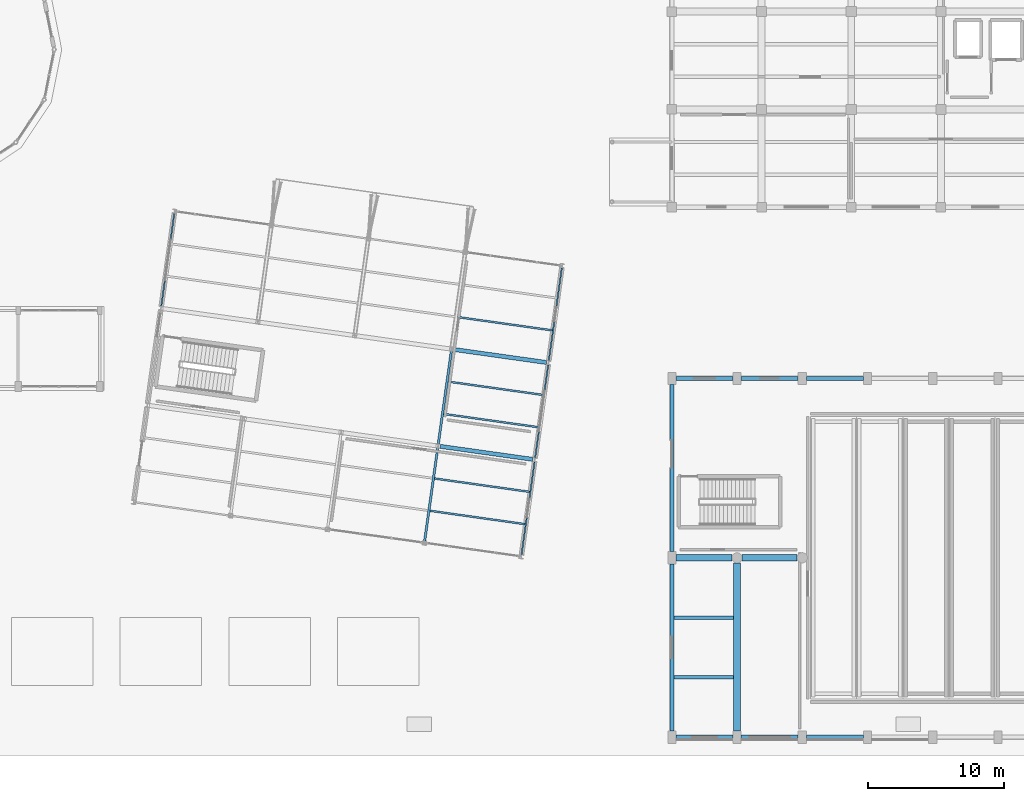
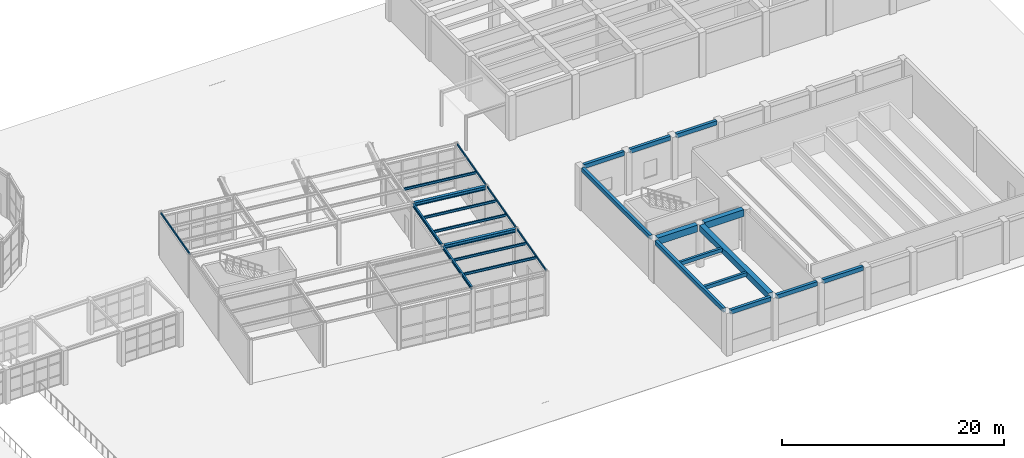
# One storey, part 23 of 57: 26 beams.
"""IFC4 building model written with IfcOpenShell, lengths in metres."""

from ifc_helpers import new_model, si_unit, direction, frame, origin, origin_2d, place, context, subcontext, project, spatial, rectangle, hollow_rectangle, i_section, extrude, material, material_profile, profile_set, type_object, element, save


model = new_model("IFC4")

# Units and contexts
model_context = context("Model", 3, precision=1e-05, world=origin(), true_north=direction((0.0, 1.0)))
body_context = subcontext(model_context, "Body", "Model", "MODEL_VIEW")
ifc_project = project(units=[si_unit("LENGTHUNIT", "METRE"), si_unit("AREAUNIT", "SQUARE_METRE"), si_unit("VOLUMEUNIT", "CUBIC_METRE"), si_unit("PLANEANGLEUNIT", "RADIAN"), si_unit("MASSUNIT", "GRAM", prefix="KILO")], contexts=[model_context])

# Site, building, storey
site_placement = place(None, origin())
site = spatial("IfcSite", under=ifc_project, at=site_placement, CompositionType="ELEMENT")
building_placement = place(site_placement, origin())
building = spatial("IfcBuilding", under=site, at=building_placement, Name="Kharisveld Research Institute", CompositionType="ELEMENT")
storey_placement = place(building_placement, origin())
storey = spatial("IfcBuildingStorey", under=building, at=storey_placement, Name="L00", CompositionType="ELEMENT", Elevation=0.0)

# Beams
ifc_material_1 = material(Name="Concrete C40/50", Category="concrete")
ifc_material_profile_1 = material_profile(ifc_material_1, rectangle(XDim=0.5, YDim=0.64990234375, at=origin_2d()))
ifc_profile_set_1 = profile_set([ifc_material_profile_1], Name="Concrete C40/50")
beam_type_1 = type_object("IfcBeamType", Name="BM_RC_500x650", PredefinedType="BEAM", material=ifc_profile_set_1)
beam_1_placement = place(storey_placement, frame((119.39990234375, 0.64990234375, 4.35498046875), z_axis=(0.0, 1.0, 0.0), x_axis=(-1.0, 0.0, 0.0)))
element("IfcBeam", 1, at=beam_1_placement, inside=storey, type_object=beam_type_1, Name="BM:V5:L00:V1_0", PredefinedType="BEAM", context=body_context, shape_type="SweptSolid", body=[
    extrude(rectangle(XDim=0.5, YDim=0.64990234375, at=origin_2d()), origin(), (0.0, 0.0, 1.0), 12.375),
])
ifc_material_2 = material(Name="Concrete C40/50", Category="concrete")
ifc_material_profile_2 = material_profile(ifc_material_2, rectangle(XDim=0.5, YDim=0.75, at=origin_2d()))
ifc_profile_set_2 = profile_set([ifc_material_profile_2], Name="Concrete C40/50")
beam_type_2 = type_object("IfcBeamType", Name="BM_RC_500x750", PredefinedType="BEAM", material=ifc_profile_set_2)
beam_2_placement = place(storey_placement, frame((114.89990234375, 13.39990234375, 4.304931640625), z_axis=(1.0, 0.0, 0.0), x_axis=(0.0, 1.0, 0.0)))
element("IfcBeam", 2, at=beam_2_placement, inside=storey, type_object=beam_type_2, Name="BM:V5:L00:U0_1", PredefinedType="BEAM", context=body_context, shape_type="SweptSolid", body=[
    extrude(rectangle(XDim=0.5, YDim=0.75, at=origin_2d()), origin(), (0.0, 0.0, 1.0), 4.125),
])
beam_3_placement = place(storey_placement, frame((119.77490234375, 13.39990234375, 4.304931640625), z_axis=(1.0, 0.0, 0.0), x_axis=(0.0, 1.0, 0.0)))
element("IfcBeam", 3, at=beam_3_placement, inside=storey, type_object=beam_type_2, Name="BM:V5:L00:U1_1", PredefinedType="BEAM", context=body_context, shape_type="SweptSolid", body=[
    extrude(rectangle(XDim=0.5, YDim=0.75, at=origin_2d()), origin(), (0.0, 0.0, 1.0), 4.050048828125),
])
ifc_material_3 = material(Name="Steel S355JR", Category="steel")
ifc_material_profile_3 = material_profile(ifc_material_3, i_section(OverallWidth=0.300048828125, OverallDepth=0.389892578125, WebThickness=0.010986328125, FlangeThickness=0.01904296875, at=origin_2d()))
ifc_profile_set_3 = profile_set([ifc_material_profile_3], Name="Steel S355JR")
beam_type_3 = type_object("IfcBeamType", Name="BM_ST_HEA400", PredefinedType="BEAM", material=ifc_profile_set_3)
beam_4_placement = place(storey_placement, frame((97.540283203125, 21.60302734375, 4.72509765625), z_axis=(0.99026542017, -0.139191945225, 0.0), x_axis=(0.139191945225, 0.99026542017, 0.0)))
element("IfcBeam", 4, at=beam_4_placement, inside=storey, type_object=beam_type_3, Name="BM:V4:L00:U3_1", PredefinedType="BEAM", context=body_context, shape_type="SweptSolid", body=[
    extrude(i_section(OverallWidth=0.300048828125, OverallDepth=0.389892578125, WebThickness=0.010986328125, FlangeThickness=0.01904296875, at=origin_2d()), origin(), (0.0, 0.0, 1.0), 6.900146484375),
])
beam_5_placement = place(storey_placement, frame((98.54248046875, 28.73291015625, 4.72509765625), z_axis=(0.990264734633, -0.139196822312, 0.0), x_axis=(0.139196822312, 0.990264734633, 0.0)))
element("IfcBeam", 5, at=beam_5_placement, inside=storey, type_object=beam_type_3, Name="BM:V4:L00:U3_2", PredefinedType="BEAM", context=body_context, shape_type="SweptSolid", body=[
    extrude(i_section(OverallWidth=0.300048828125, OverallDepth=0.389892578125, WebThickness=0.010986328125, FlangeThickness=0.01904296875, at=origin_2d()), origin(), (0.0, 0.0, 1.0), 6.89990234375),
])
ifc_material_4 = material(Name="Steel S355JR", Category="steel")
ifc_material_profile_4 = material_profile(ifc_material_4, i_section(OverallWidth=0.169921875, OverallDepth=0.360107421875, WebThickness=0.008056640625, FlangeThickness=0.0126953125, at=origin_2d()))
ifc_profile_set_4 = profile_set([ifc_material_profile_4], Name="Steel S355JR")
beam_type_4 = type_object("IfcBeamType", Name="BM_ST_IPE360", PredefinedType="BEAM", material=ifc_profile_set_4)
for number, where, z_axis, x_axis, name in (
    (6, (96.41064453125, 14.642333984375, 4.739990234375), (0.139157248683, 0.990270296504, 0.0), (-0.990270296504, 0.139157248683, 0.0), "BM:V4:L00:V3_0"),
    (7, (97.41259765625, 21.772216796875, 4.739990234375), (0.139191945225, 0.99026542017, 0.0), (-0.99026542017, 0.139191945225, 0.0), "BM:V4:L00:V3_1"),
):
    element("IfcBeam", number, at=place(storey_placement, frame(where, z_axis=z_axis, x_axis=x_axis)), inside=storey, type_object=beam_type_4, Name=name, PredefinedType="BEAM", context=body_context, shape_type="SweptSolid", body=[
        extrude(i_section(OverallWidth=0.169921875, OverallDepth=0.360107421875, WebThickness=0.008056640625, FlangeThickness=0.0126953125, at=origin_2d()), origin(), (0.0, 0.0, 1.0), 6.900146484375),
    ])
ifc_material_5 = material(Name="Steel S355JR", Category="steel")
ifc_material_profile_5 = material_profile(ifc_material_5, i_section(OverallWidth=0.135009765625, OverallDepth=0.27001953125, WebThickness=0.006591796875, FlangeThickness=0.01025390625, at=origin_2d()))
ifc_profile_set_5 = profile_set([ifc_material_profile_5], Name="Steel S355JR")
beam_type_5 = type_object("IfcBeamType", Name="JS_ST_IPE270", PredefinedType="JOIST", material=ifc_profile_set_5)
beam_6_placement = place(storey_placement, frame((96.807861328125, 16.858642578125, 4.784912109375), z_axis=(0.990270348398, -0.139156879401, 0.0), x_axis=(0.139156879401, 0.990270348398, 0.0)))
element("IfcBeam", 8, at=beam_6_placement, inside=storey, type_object=beam_type_5, Name="BM:V4:L00:J_3_0_R1", PredefinedType="JOIST", context=body_context, shape_type="SweptSolid", body=[
    extrude(i_section(OverallWidth=0.135009765625, OverallDepth=0.27001953125, WebThickness=0.006591796875, FlangeThickness=0.01025390625, at=origin_2d()), origin(), (0.0, 0.0, 1.0), 7.065185546875),
])
for number, where, z_axis, x_axis, name in (
    (9, (97.14208984375, 19.2353515625, 4.784912109375), (0.990264916406, -0.139195529149, 0.0), (0.139195529149, 0.990264916406, 0.0), "BM:V4:L00:J_3_0_R2"),
    (10, (97.81005859375, 23.988525390625, 4.784912109375), (0.990269679199, -0.139161641476, 0.0), (0.139161641476, 0.990269679199, 0.0), "BM:V4:L00:J_3_1_R1"),
):
    element("IfcBeam", number, at=place(storey_placement, frame(where, z_axis=z_axis, x_axis=x_axis)), inside=storey, type_object=beam_type_5, Name=name, PredefinedType="JOIST", context=body_context, shape_type="SweptSolid", body=[
        extrude(i_section(OverallWidth=0.135009765625, OverallDepth=0.27001953125, WebThickness=0.006591796875, FlangeThickness=0.01025390625, at=origin_2d()), origin(), (0.0, 0.0, 1.0), 7.06494140625),
    ])
for number, where, z_axis, x_axis, name in (
    (11, (98.14404296875, 26.365234375, 4.784912109375), (0.990270348398, -0.139156879401, 0.0), (0.139156879401, 0.990270348398, 0.0), "BM:V4:L00:J_3_1_R2"),
    (12, (98.81201171875, 31.11865234375, 4.784912109375), (0.990265585927, -0.13919076596, 0.0), (0.13919076596, 0.990265585927, 0.0), "BM:V4:L00:J_3_2_R1"),
):
    element("IfcBeam", number, at=place(storey_placement, frame(where, z_axis=z_axis, x_axis=x_axis)), inside=storey, type_object=beam_type_5, Name=name, PredefinedType="JOIST", context=body_context, shape_type="SweptSolid", body=[
        extrude(i_section(OverallWidth=0.135009765625, OverallDepth=0.27001953125, WebThickness=0.006591796875, FlangeThickness=0.01025390625, at=origin_2d()), origin(), (0.0, 0.0, 1.0), 7.065185546875),
    ])
ifc_material_6 = material(Name="Concrete C40/50", Category="concrete")
ifc_material_profile_6 = material_profile(ifc_material_6, rectangle(XDim=0.300048828125, YDim=0.449951171875, at=origin_2d()))
ifc_profile_set_6 = profile_set([ifc_material_profile_6], Name="Concrete C40/50")
beam_type_6 = type_object("IfcBeamType", Name="SP_RC_300x450", PredefinedType="SPANDREL", material=ifc_profile_set_6)
beam_7_placement = place(storey_placement, frame((114.89990234375, 0.199951171875, 4.455078125), z_axis=(1.0, 0.0, 0.0), x_axis=(0.0, 1.0, 0.0)))
element("IfcBeam", 13, at=beam_7_placement, inside=storey, type_object=beam_type_6, Name="BM:V5:L00:U0_0", PredefinedType="SPANDREL", context=body_context, shape_type="SweptSolid", body=[
    extrude(rectangle(XDim=0.300048828125, YDim=0.449951171875, at=origin_2d()), origin(), (0.0, 0.0, 1.0), 4.2001953125),
])
for number, where, z_axis, x_axis, name in (
    (14, (119.699951171875, 0.199951171875, 4.455078125), (1.0, 0.0, 0.0), (0.0, 1.0, 0.0), "BM:V5:L00:U1_0"),
    (15, (124.5, 0.199951171875, 4.455078125), (1.0, 0.0, 0.0), (0.0, 1.0, 0.0), "BM:V5:L00:U2_0"),
):
    element("IfcBeam", number, at=place(storey_placement, frame(where, z_axis=z_axis, x_axis=x_axis)), inside=storey, type_object=beam_type_6, Name=name, PredefinedType="SPANDREL", context=body_context, shape_type="SweptSolid", body=[
        extrude(rectangle(XDim=0.300048828125, YDim=0.449951171875, at=origin_2d()), origin(), (0.0, 0.0, 1.0), 4.199951171875),
    ])
beam_8_placement = place(storey_placement, frame((114.89990234375, 26.60009765625, 4.455078125), z_axis=(1.0, 0.0, 0.0), x_axis=(0.0, 1.0, 0.0)))
element("IfcBeam", 16, at=beam_8_placement, inside=storey, type_object=beam_type_6, Name="BM:V5:L00:U0_2", PredefinedType="SPANDREL", context=body_context, shape_type="SweptSolid", body=[
    extrude(rectangle(XDim=0.300048828125, YDim=0.449951171875, at=origin_2d()), origin(), (0.0, 0.0, 1.0), 4.2001953125),
])
for number, where, z_axis, x_axis, name in (
    (17, (119.699951171875, 26.60009765625, 4.455078125), (1.0, 0.0, 0.0), (0.0, 1.0, 0.0), "BM:V5:L00:U1_2"),
    (18, (124.5, 26.60009765625, 4.455078125), (1.0, 0.0, 0.0), (0.0, 1.0, 0.0), "BM:V5:L00:U2_2"),
):
    element("IfcBeam", number, at=place(storey_placement, frame(where, z_axis=z_axis, x_axis=x_axis)), inside=storey, type_object=beam_type_6, Name=name, PredefinedType="SPANDREL", context=body_context, shape_type="SweptSolid", body=[
        extrude(rectangle(XDim=0.300048828125, YDim=0.449951171875, at=origin_2d()), origin(), (0.0, 0.0, 1.0), 4.199951171875),
    ])
beam_9_placement = place(storey_placement, frame((114.60009765625, 0.64990234375, 4.455078125), z_axis=(0.0, 1.0, 0.0), x_axis=(-1.0, 0.0, 0.0)))
element("IfcBeam", 19, at=beam_9_placement, inside=storey, type_object=beam_type_6, Name="BM:V5:L00:V0_0", PredefinedType="SPANDREL", context=body_context, shape_type="SweptSolid", body=[
    extrude(rectangle(XDim=0.300048828125, YDim=0.449951171875, at=origin_2d()), origin(), (0.0, 0.0, 1.0), 12.300048828125),
])
beam_10_placement = place(storey_placement, frame((114.60009765625, 13.85009765625, 4.455078125), z_axis=(0.0, 1.0, 0.0), x_axis=(-1.0, 0.0, 0.0)))
element("IfcBeam", 20, at=beam_10_placement, inside=storey, type_object=beam_type_6, Name="BM:V5:L00:V0_1", PredefinedType="SPANDREL", context=body_context, shape_type="SweptSolid", body=[
    extrude(rectangle(XDim=0.300048828125, YDim=0.449951171875, at=origin_2d()), origin(), (0.0, 0.0, 1.0), 12.2998046875),
])
ifc_material_7 = material(Name="Steel S355J2H", Category="steel")
ifc_material_profile_7 = material_profile(ifc_material_7, hollow_rectangle(XDim=0.10009765625, YDim=0.199951171875, WallThickness=0.008056640625, at=origin_2d()))
ifc_profile_set_7 = profile_set([ifc_material_profile_7], Name="Steel S355J2H")
beam_type_7 = type_object("IfcBeamType", Name="SP_ST_RHS200", PredefinedType="SPANDREL", material=ifc_profile_set_7)
for number, where, z_axis, x_axis, name in (
    (21, (77.02490234375, 31.908447265625, 4.820068359375), (0.139196822312, 0.990264734633, 0.0), (-0.990264734633, 0.139196822312, 0.0), "BM:V4:L00:V0_2"),
    (22, (103.54052734375, 13.640380859375, 4.820068359375), (0.139196822312, 0.990264734633, 0.0), (-0.990264734633, 0.139196822312, 0.0), "BM:V4:L00:V4_0"),
    (23, (104.542724609375, 20.770263671875, 4.820068359375), (0.139162124603, 0.990269611306, 0.0), (-0.990269611306, 0.139162124603, 0.0), "BM:V4:L00:V4_1"),
):
    element("IfcBeam", number, at=place(storey_placement, frame(where, z_axis=z_axis, x_axis=x_axis)), inside=storey, type_object=beam_type_7, Name=name, PredefinedType="SPANDREL", context=body_context, shape_type="SweptSolid", body=[
        extrude(hollow_rectangle(XDim=0.10009765625, YDim=0.199951171875, WallThickness=0.008056640625, at=origin_2d()), origin(), (0.0, 0.0, 1.0), 6.89990234375),
    ])
beam_11_placement = place(storey_placement, frame((105.544677734375, 27.900146484375, 4.820068359375), z_axis=(0.139157248683, 0.990270296504, 0.0), x_axis=(-0.990270296504, 0.139157248683, 0.0)))
element("IfcBeam", 24, at=beam_11_placement, inside=storey, type_object=beam_type_7, Name="BM:V4:L00:V4_2", PredefinedType="SPANDREL", context=body_context, shape_type="SweptSolid", body=[
    extrude(hollow_rectangle(XDim=0.10009765625, YDim=0.199951171875, WallThickness=0.008056640625, at=origin_2d()), origin(), (0.0, 0.0, 1.0), 6.900146484375),
])
ifc_material_8 = material(Name="Concrete C40/50", Category="concrete")
ifc_material_profile_8 = material_profile(ifc_material_8, rectangle(XDim=0.25, YDim=0.39990234375, at=origin_2d()))
ifc_profile_set_8 = profile_set([ifc_material_profile_8], Name="Concrete C40/50")
beam_type_8 = type_object("IfcBeamType", Name="WB_RC_250x400", PredefinedType="JOIST", material=ifc_profile_set_8)
for number, where, z_axis, x_axis, name in (
    (25, (114.75, 4.60009765625, 4.47998046875), (1.0, 0.0, 0.0), (0.0, 1.0, 0.0), "BM:V5:L00:J_0_0_R1"),
    (26, (114.75, 9.0, 4.47998046875), (1.0, 0.0, 0.0), (0.0, 1.0, 0.0), "BM:V5:L00:J_0_0_R2"),
):
    element("IfcBeam", number, at=place(storey_placement, frame(where, z_axis=z_axis, x_axis=x_axis)), inside=storey, type_object=beam_type_8, Name=name, PredefinedType="JOIST", context=body_context, shape_type="SweptSolid", body=[
        extrude(rectangle(XDim=0.25, YDim=0.39990234375, at=origin_2d()), origin(), (0.0, 0.0, 1.0), 4.39990234375),
    ])

save(model, "model.ifc")
